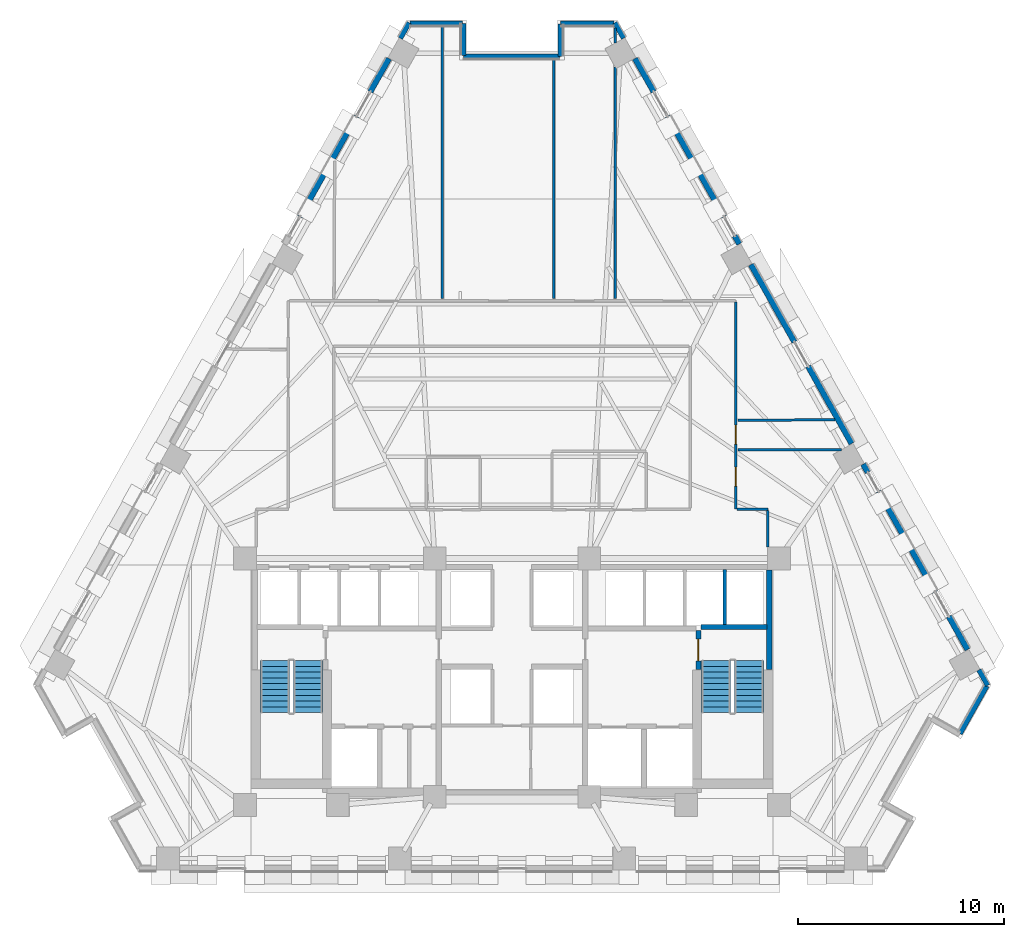
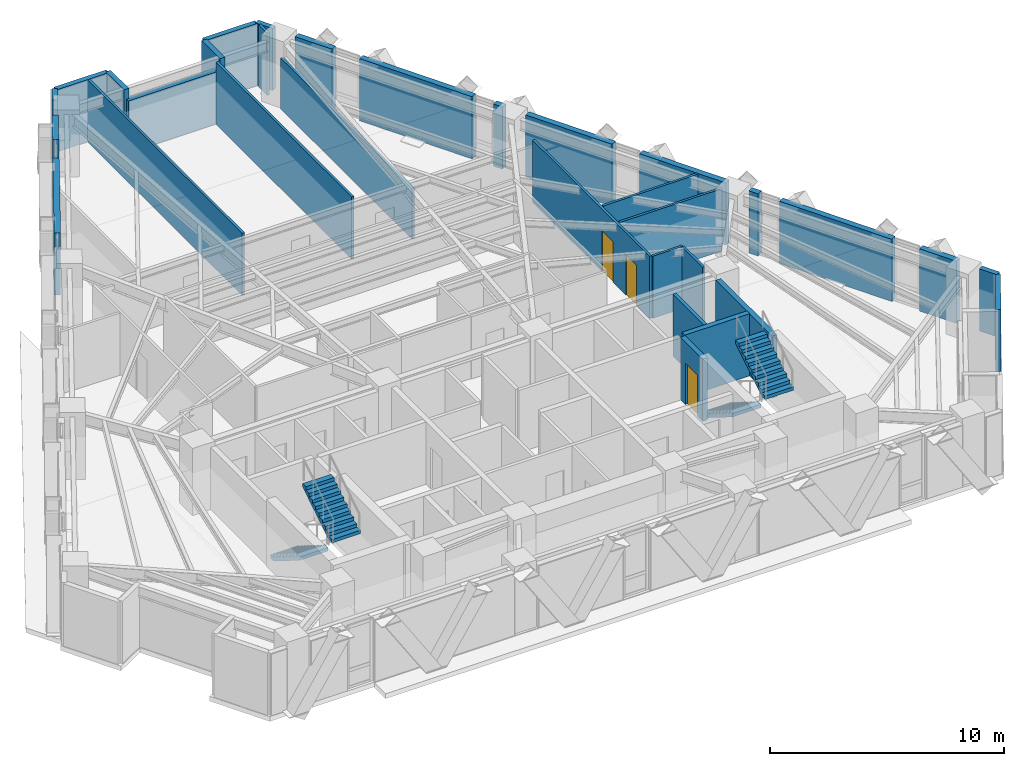
# One storey, part 9 of 13: 32 walls, 4 stair flights, 3 doors, 3 openings, 2 elements without a shape of their own.
"""IFC4 building model written with IfcOpenShell, lengths in metres."""

from ifc_helpers import new_model, si_unit, direction, frame, frame_2d, origin, place, context, subcontext, project, spatial, polyline, rectangle, outline, extrude, material, layer, layer_set, type_object, element, fill, aggregate, save


model = new_model("IFC4")

# Units and contexts
model_context = context("Model", 3, precision=1e-05, world=origin(), true_north=direction((0.0, 1.0)))
body_context = subcontext(model_context, "Body", "Model", "MODEL_VIEW")
ifc_project = project(units=[si_unit("LENGTHUNIT", "METRE"), si_unit("AREAUNIT", "SQUARE_METRE"), si_unit("VOLUMEUNIT", "CUBIC_METRE"), si_unit("PLANEANGLEUNIT", "RADIAN"), si_unit("MASSUNIT", "GRAM", prefix="KILO")], contexts=[model_context])

# Site, building, storey
site_placement = place(None, origin())
site = spatial("IfcSite", under=ifc_project, at=site_placement, CompositionType="ELEMENT")
building_placement = place(site_placement, origin())
building = spatial("IfcBuilding", under=site, at=building_placement, Name="Quenlor Broadcast Tower", CompositionType="ELEMENT")
storey_placement = place(building_placement, frame((0.0, 0.0, 76.60009765625)))
storey = spatial("IfcBuildingStorey", under=building, at=storey_placement, Name="L20", CompositionType="ELEMENT", Elevation=76.60009765625)

# Wall, opening, door
ifc_material_1 = material(Name="Concrete C40/50", Category="concrete")
ifc_layer_1 = layer(ifc_material_1, 0.25)
ifc_layer_set_1 = layer_set([ifc_layer_1], Name="Fire Rated Concrete C40/50 Core Wall 250")
wall_type_1 = type_object("IfcWallType", Name="Fire Rated Concrete C40/50 Core Wall 250", PredefinedType="PARTITIONING", material=ifc_layer_set_1)
wall_1_placement = place(storey_placement, frame((9.0400390625, -10.179931640625, 0.0), z_axis=(0.0, 0.0, 1.0), x_axis=(0.0, 1.0, 0.0)))
wall_1 = element("IfcWall", 1, at=wall_1_placement, inside=storey, type_object=wall_type_1, Name="L20 Interior Wall CW-ST2-DR", PredefinedType="PARTITIONING", context=body_context, shape_type="SweptSolid", body=[
    extrude(rectangle(XDim=1.89990234375, YDim=0.25, at=frame_2d((0.949951171875, 0.0))), origin(), (0.0, 0.0, 1.0), 3.25),
])
opening_1_placement = place(wall_1_placement, frame((0.419921875, 0.0, 0.0)))
opening_1 = element("IfcOpeningElement", 2, at=opening_1_placement, cuts=wall_1, Name="Opening FD-1", PredefinedType="OPENING", context=body_context, shape_type="SweptSolid", body=[
    extrude(rectangle(XDim=1.050048828125, YDim=2.14990234375, at=frame_2d((0.52490234375, 1.074951171875))), frame((0.0, 0.135009765625, 0.0), z_axis=(0.0, -1.0, 0.0), x_axis=(1.0, 0.0, 0.0)), (0.0, 0.0, 1.0), 0.27001953125),
])
ifc_material_2 = material(Name="Fire Rated Steel Door Leaf", Category="steel")
door_type_1 = type_object("IfcDoorType", Name="Fire Isolated Stair Door 1050x2150", OperationType="NOTDEFINED", PredefinedType="DOOR", material=ifc_material_2)
door_1_placement = place(opening_1_placement, origin())
door_1 = element("IfcDoor", 3, at=door_1_placement, inside=storey, type_object=door_type_1, Name="L20 Door DR-ST2", OperationType="SINGLE_SWING_RIGHT", OverallHeight=2.14990234375, OverallWidth=1.050048828125, PredefinedType="DOOR", context=body_context, shape_type="SweptSolid", body=[
    extrude(rectangle(XDim=1.050048828125, YDim=2.14990234375, at=frame_2d((0.52490234375, 1.074951171875))), frame((0.0, 0.02490234375, 0.0), z_axis=(0.0, -1.0, 0.0), x_axis=(1.0, 0.0, 0.0)), (0.0, 0.0, 1.0), 0.050048828125),
])
fill(opening_1, door_1)

# Walls
wall_2_placement = place(storey_placement, frame((9.159912109375, -8.1201171875, 0.0), z_axis=(0.0, 0.0, 1.0), x_axis=(1.0, 0.0, 0.0)))
element("IfcWall", 4, at=wall_2_placement, inside=storey, type_object=wall_type_1, Name="L20 Interior Wall CW-ST2-N", PredefinedType="PARTITIONING", context=body_context, shape_type="SweptSolid", body=[
    extrude(rectangle(XDim=3.219970703125, YDim=0.25, at=frame_2d((1.60986328125, 0.0))), origin(), (0.0, 0.0, 1.0), 3.25),
])
wall_3_placement = place(storey_placement, frame((12.47998046875, -10.179931640625, 0.0), z_axis=(0.0, 0.0, 1.0), x_axis=(0.0, 1.0, 0.0)))
element("IfcWall", 5, at=wall_3_placement, inside=storey, type_object=wall_type_1, Name="L20 Interior Wall CW-ST2-E2", PredefinedType="PARTITIONING", context=body_context, shape_type="SweptSolid", body=[
    extrude(rectangle(XDim=4.827880859375, YDim=0.25, at=frame_2d((2.4140625, 0.0))), origin(), (0.0, 0.0, 1.0), 3.25),
])
ifc_material_3 = material(Name="Gypsum Fireboard Partition", Category="other")
ifc_layer_2 = layer(ifc_material_3, 0.159912109375)
ifc_layer_set_2 = layer_set([ifc_layer_2], Name="Fire Rated Shaft and Corridor Partition 160")
wall_type_2 = type_object("IfcWallType", Name="Fire Rated Shaft and Corridor Partition 160", PredefinedType="PARTITIONING", material=ifc_layer_set_2)
wall_4_placement = place(storey_placement, frame((10.324951171875, -7.992919921875, 0.0), z_axis=(0.0, 0.0, 1.0), x_axis=(0.0, 1.0, 0.0)))
element("IfcWall", 6, at=wall_4_placement, inside=storey, type_object=wall_type_2, Name="L20 Interior Wall CW-PLH-D3", PredefinedType="PARTITIONING", context=body_context, shape_type="SweptSolid", body=[
    extrude(rectangle(XDim=2.65283203125, YDim=0.159912109375, at=frame_2d((1.326416015625, 0.0))), origin(), (0.0, 0.0, 1.0), 3.25),
])

# Wall, openings, doors
ifc_material_4 = material(Name="Gypsum Plasterboard Partition", Category="other")
ifc_layer_3 = layer(ifc_material_4, 0.1201171875)
ifc_layer_set_3 = layer_set([ifc_layer_3], Name="Standard Office Partition 120")
wall_type_3 = type_object("IfcWallType", Name="Standard Office Partition 120", PredefinedType="PARTITIONING", material=ifc_layer_set_3)
wall_5_placement = place(storey_placement, frame((10.85009765625, 7.637939453125, 0.0), z_axis=(0.0, 0.0, 1.0), x_axis=(0.0, -1.0, 0.0)))
wall_5 = element("IfcWall", 7, at=wall_5_placement, inside=storey, type_object=wall_type_3, Name="L20 Interior Wall PW-CR-04", PredefinedType="PARTITIONING", context=body_context, shape_type="SweptSolid", body=[
    extrude(rectangle(XDim=10.037841796875, YDim=0.1201171875, at=frame_2d((5.01904296875, 0.0))), origin(), (0.0, 0.0, 1.0), 3.25),
])
opening_2_placement = place(wall_5_placement, frame((5.965087890625, 0.0, 0.0)))
opening_2 = element("IfcOpeningElement", 8, at=opening_2_placement, cuts=wall_5, Name="Opening ID-1", PredefinedType="OPENING", context=body_context, shape_type="SweptSolid", body=[
    extrude(rectangle(XDim=0.919921875, YDim=2.1201171875, at=frame_2d((0.4599609375, 1.06005859375))), frame((0.0, 0.070068359375, 0.0), z_axis=(0.0, -1.0, 0.0), x_axis=(1.0, 0.0, 0.0)), (0.0, 0.0, 1.0), 0.14013671875),
])
opening_3_placement = place(wall_5_placement, frame((8.006103515625, 0.0, 0.0)))
opening_3 = element("IfcOpeningElement", 9, at=opening_3_placement, cuts=wall_5, Name="Opening ID-1", PredefinedType="OPENING", context=body_context, shape_type="SweptSolid", body=[
    extrude(rectangle(XDim=0.919921875, YDim=2.1201171875, at=frame_2d((0.4599609375, 1.06005859375))), frame((0.0, 0.070068359375, 0.0), z_axis=(0.0, -1.0, 0.0), x_axis=(1.0, 0.0, 0.0)), (0.0, 0.0, 1.0), 0.14013671875),
])
ifc_material_5 = material(Name="Solid Core Timber Oak", Category="wood")
door_type_2 = type_object("IfcDoorType", Name="Single Leaf Timber Office Door 920x2120", OperationType="NOTDEFINED", PredefinedType="DOOR", material=ifc_material_5)
door_2_placement = place(opening_2_placement, origin())
door_2 = element("IfcDoor", 10, at=door_2_placement, inside=storey, type_object=door_type_2, Name="L20 Door DR-RM07", OperationType="SINGLE_SWING_RIGHT", OverallHeight=2.1201171875, OverallWidth=0.919921875, PredefinedType="DOOR", context=body_context, shape_type="SweptSolid", body=[
    extrude(rectangle(XDim=0.919921875, YDim=2.1201171875, at=frame_2d((0.4599609375, 1.06005859375))), frame((0.0, 0.02490234375, 0.0), z_axis=(0.0, -1.0, 0.0), x_axis=(1.0, 0.0, 0.0)), (0.0, 0.0, 1.0), 0.050048828125),
])
fill(opening_2, door_2)
door_3_placement = place(opening_3_placement, origin())
door_3 = element("IfcDoor", 11, at=door_3_placement, inside=storey, type_object=door_type_2, Name="L20 Door DR-RM08", OperationType="SINGLE_SWING_LEFT", OverallHeight=2.1201171875, OverallWidth=0.919921875, PredefinedType="DOOR", context=body_context, shape_type="SweptSolid", body=[
    extrude(rectangle(XDim=0.919921875, YDim=2.1201171875, at=frame_2d((0.4599609375, 1.06005859375))), frame((0.0, 0.02490234375, 0.0), z_axis=(0.0, -1.0, 0.0), x_axis=(1.0, 0.0, 0.0)), (0.0, 0.0, 1.0), 0.050048828125),
])
fill(opening_3, door_3)

# Walls
wall_6_placement = place(storey_placement, frame((10.912109375, -2.39990234375, 0.0), z_axis=(0.0, 0.0, 1.0), x_axis=(1.0, 0.0, 0.0)))
element("IfcWall", 12, at=wall_6_placement, inside=storey, type_object=wall_type_3, Name="L20 Interior Wall PW-CR-05", PredefinedType="PARTITIONING", context=body_context, shape_type="SweptSolid", body=[
    extrude(rectangle(XDim=1.497802734375, YDim=0.1201171875, at=frame_2d((0.7490234375, 0.0))), origin(), (0.0, 0.0, 1.0), 3.25),
])
wall_7_placement = place(storey_placement, frame((12.409912109375, -2.4619140625, 0.0), z_axis=(0.0, 0.0, 1.0), x_axis=(0.0, -1.0, 0.0)))
element("IfcWall", 13, at=wall_7_placement, inside=storey, type_object=wall_type_3, Name="L20 Interior Wall PW-CR-06", PredefinedType="PARTITIONING", context=body_context, shape_type="SweptSolid", body=[
    extrude(rectangle(XDim=1.7861328125, YDim=0.1201171875, at=frame_2d((0.89306640625, 0.0))), origin(), (0.0, 0.0, 1.0), 3.25),
])
wall_8_placement = place(storey_placement, frame((2.023681640625, 7.81005859375, 0.0), z_axis=(0.0, 0.0, 1.0), x_axis=(0.0, 1.0, 0.0)))
element("IfcWall", 14, at=wall_8_placement, inside=storey, type_object=wall_type_3, Name="L20 Interior Wall PW-DV-01", PredefinedType="PARTITIONING", context=body_context, shape_type="SweptSolid", body=[
    extrude(rectangle(XDim=11.635986328125, YDim=0.1201171875, at=frame_2d((5.81787109375, 0.0))), origin(), (0.0, 0.0, 1.0), 3.25),
])
wall_9_placement = place(storey_placement, frame((5.0, 20.935791015625, 0.0), z_axis=(0.0, 0.0, 1.0), x_axis=(0.0, -1.0, 0.0)))
element("IfcWall", 15, at=wall_9_placement, inside=storey, type_object=wall_type_3, Name="L20 Interior Wall PW-DV-02", PredefinedType="PARTITIONING", context=body_context, shape_type="SweptSolid", body=[
    extrude(rectangle(XDim=0.73095703125, YDim=0.1201171875, at=frame_2d((0.365478515625, 0.0))), origin(), (0.0, 0.0, 1.0), 3.25),
])
wall_10_placement = place(storey_placement, frame((5.0, 19.0595703125, 0.0), z_axis=(0.0, 0.0, 1.0), x_axis=(0.0, -1.0, 0.0)))
element("IfcWall", 16, at=wall_10_placement, inside=storey, type_object=wall_type_3, Name="L20 Interior Wall PW-DV-02S2", PredefinedType="PARTITIONING", context=body_context, shape_type="SweptSolid", body=[
    extrude(rectangle(XDim=11.24951171875, YDim=0.1201171875, at=frame_2d((5.624755859375, 0.0))), origin(), (0.0, 0.0, 1.0), 2.64794921875),
])
wall_11_placement = place(storey_placement, frame((-3.389892578125, 7.81005859375, 0.0), z_axis=(0.0, 0.0, 1.0), x_axis=(0.0, 1.0, 0.0)))
element("IfcWall", 17, at=wall_11_placement, inside=storey, type_object=wall_type_3, Name="L20 Interior Wall PW-DV-03", PredefinedType="PARTITIONING", context=body_context, shape_type="SweptSolid", body=[
    extrude(rectangle(XDim=13.23583984375, YDim=0.1201171875, at=frame_2d((6.617919921875, 0.0))), origin(), (0.0, 0.0, 1.0), 3.25),
])
wall_12_placement = place(storey_placement, frame((15.66259765625, 1.939697265625, 0.0), z_axis=(0.0, 0.0, 1.0), x_axis=(-0.999966784185, -0.008150492426, 0.0)))
element("IfcWall", 18, at=wall_12_placement, inside=storey, type_object=wall_type_3, Name="L20 Interior Wall PW-DV-05", PredefinedType="PARTITIONING", context=body_context, shape_type="SweptSolid", body=[
    extrude(rectangle(XDim=4.702880859375, YDim=0.1201171875, at=frame_2d((2.3515625, 0.0))), origin(), (0.0, 0.0, 1.0), 3.25),
])
wall_13_placement = place(storey_placement, frame((15.99267578125, 0.486328125, 0.0), z_axis=(0.0, 0.0, 1.0), x_axis=(-1.0, 0.0, 0.0)))
element("IfcWall", 19, at=wall_13_placement, inside=storey, type_object=wall_type_3, Name="L20 Interior Wall PW-DV-07", PredefinedType="PARTITIONING", context=body_context, shape_type="SweptSolid", body=[
    extrude(rectangle(XDim=5.03271484375, YDim=0.1201171875, at=frame_2d((2.516357421875, 0.0))), origin(), (0.0, 0.0, 1.0), 3.25),
])
ifc_material_6 = material(Name="Precast concrete C40/50", Category="concrete")
ifc_layer_4 = layer(ifc_material_6, 0.239990234375)
ifc_layer_set_4 = layer_set([ifc_layer_4], Name="Terrace Threshold Precast Concrete C40/50 Wall 240")
wall_type_4 = type_object("IfcWallType", Name="Terrace Threshold Precast Concrete C40/50 Wall 240", PredefinedType="STANDARD", material=ifc_layer_set_4)
for number, where, z_axis, x_axis, name in (
    (20, (4.992919921875, 21.197265625, 0.0), (0.0, 0.0, 1.0), (0.490355003566, -0.871522788272, 0.0), "L20 Exterior Wall L20-SHD-NES0"),
    (21, (22.65380859375, -10.199951171875, 0.0), (0.0, 0.0, 1.0), (0.490355003566, -0.871522788272, 0.0), "L20 Exterior Wall L20-SHD-NES1"),
    (22, (-5.417236328125, 20.443115234375, 0.0), (0.0, 0.0, 1.0), (0.490355003566, 0.871522788272, 0.0), "L20 Exterior Wall L20-SHD-NWS1"),
):
    element("IfcWall", number, at=place(storey_placement, frame(where, z_axis=z_axis, x_axis=x_axis)), inside=storey, type_object=wall_type_4, Name=name, PredefinedType="STANDARD", context=body_context, shape_type="SweptSolid", body=[
        extrude(rectangle(XDim=0.865234375, YDim=0.239990234375, at=frame_2d((0.4326171875, 0.0))), origin(), (0.0, 0.0, 1.0), 3.25),
    ])
wall_14_placement = place(storey_placement, frame((21.732666015625, -13.293701171875, 0.0), z_axis=(0.0, 0.0, 1.0), x_axis=(0.490265590412, 0.871573089797, 0.0)))
element("IfcWall", 23, at=wall_14_placement, inside=storey, type_object=wall_type_4, Name="L20 Exterior Wall L20-CNR-04", PredefinedType="STANDARD", context=body_context, shape_type="SweptSolid", body=[
    extrude(rectangle(XDim=2.6640625, YDim=0.239990234375, at=frame_2d((1.33203125, 0.0))), origin(), (0.0, 0.0, 1.0), 3.25),
])
wall_15_placement = place(storey_placement, frame((4.95947265625, 21.16796875, 0.0), z_axis=(0.0, 0.0, 1.0), x_axis=(-1.0, 0.0, 0.0)))
element("IfcWall", 24, at=wall_15_placement, inside=storey, type_object=wall_type_4, Name="L20 Exterior Wall L20-CNR-06", PredefinedType="STANDARD", context=body_context, shape_type="SweptSolid", body=[
    extrude(rectangle(XDim=2.599365234375, YDim=0.239990234375, at=frame_2d((1.2998046875, 0.0))), origin(), (0.0, 0.0, 1.0), 3.25),
])
wall_16_placement = place(storey_placement, frame((2.360107421875, 21.1279296875, 0.0), z_axis=(0.0, 0.0, 1.0), x_axis=(0.0, -1.0, 0.0)))
element("IfcWall", 25, at=wall_16_placement, inside=storey, type_object=wall_type_4, Name="L20 Exterior Wall L20-CNR-07", PredefinedType="STANDARD", context=body_context, shape_type="SweptSolid", body=[
    extrude(rectangle(XDim=1.559814453125, YDim=0.239990234375, at=frame_2d((0.77978515625, 0.0))), origin(), (0.0, 0.0, 1.0), 3.25),
])
wall_17_placement = place(storey_placement, frame((2.320068359375, 19.568115234375, 0.0), z_axis=(0.0, 0.0, 1.0), x_axis=(-1.0, 0.0, 0.0)))
element("IfcWall", 26, at=wall_17_placement, inside=storey, type_object=wall_type_4, Name="L20 Exterior Wall L20-CNR-08", PredefinedType="STANDARD", context=body_context, shape_type="SweptSolid", body=[
    extrude(rectangle(XDim=4.68017578125, YDim=0.239990234375, at=frame_2d((2.340087890625, 0.0))), origin(), (0.0, 0.0, 1.0), 2.7216796875),
])
wall_18_placement = place(storey_placement, frame((-2.360107421875, 19.60791015625, 0.0), z_axis=(0.0, 0.0, 1.0), x_axis=(0.0, 1.0, 0.0)))
element("IfcWall", 27, at=wall_18_placement, inside=storey, type_object=wall_type_4, Name="L20 Exterior Wall L20-CNR-09", PredefinedType="STANDARD", context=body_context, shape_type="SweptSolid", body=[
    extrude(rectangle(XDim=1.56005859375, YDim=0.239990234375, at=frame_2d((0.780029296875, 0.0))), origin(), (0.0, 0.0, 1.0), 3.25),
])
wall_19_placement = place(storey_placement, frame((-2.39990234375, 21.16796875, 0.0), z_axis=(0.0, 0.0, 1.0), x_axis=(-1.0, 0.0, 0.0)))
element("IfcWall", 28, at=wall_19_placement, inside=storey, type_object=wall_type_4, Name="L20 Exterior Wall L20-CNR-10", PredefinedType="STANDARD", context=body_context, shape_type="SweptSolid", body=[
    extrude(rectangle(XDim=2.5595703125, YDim=0.239990234375, at=frame_2d((1.27978515625, 0.0))), origin(), (0.0, 0.0, 1.0), 3.25),
])
ifc_material_7 = material(Name="Precast concrete C40/50", Category="concrete")
ifc_layer_5 = layer(ifc_material_7, 0.280029296875)
ifc_layer_set_5 = layer_set([ifc_layer_5], Name="Terracotta Precast Concrete C40/50 Facade Wall 280")
wall_type_5 = type_object("IfcWallType", Name="Terracotta Precast Concrete C40/50 Facade Wall 280", PredefinedType="STANDARD", material=ifc_layer_set_5)
wall_20_placement = place(storey_placement, frame((5.97119140625, 19.458251953125, 0.0), z_axis=(0.0, 0.0, 1.0), x_axis=(0.490280102884, -0.871564926277, 0.0)))
element("IfcWall", 29, at=wall_20_placement, inside=storey, type_object=wall_type_5, Name="L20 Exterior Wall L20-NEA-SP1", PredefinedType="STANDARD", context=body_context, shape_type="SweptSolid", body=[
    extrude(rectangle(XDim=1.843505859375, YDim=0.280029296875, at=frame_2d((0.921875, 0.0))), origin(), (0.0, 0.0, 1.0), 3.25),
])
wall_21_placement = place(storey_placement, frame((7.543701171875, 16.662353515625, 0.0), z_axis=(0.0, 0.0, 1.0), x_axis=(0.490298514233, -0.871554569113, 0.0)))
element("IfcWall", 30, at=wall_21_placement, inside=storey, type_object=wall_type_5, Name="L20 Exterior Wall L20-NEA-SP2", PredefinedType="STANDARD", context=body_context, shape_type="SweptSolid", body=[
    extrude(rectangle(XDim=5.597412109375, YDim=0.280029296875, at=frame_2d((2.798828125, 0.0))), origin(), (0.0, 0.0, 1.0), 3.25),
])
for number, where, z_axis, x_axis, name in (
    (31, (10.806396484375, 10.862060546875, 0.0), (0.0, 0.0, 1.0), (0.490412424957, -0.871490478116, 0.0), "L20 Exterior Wall L20-NEA-SP3"),
    (32, (17.0390625, -0.218017578125, 0.0), (0.0, 0.0, 1.0), (0.490009165718, -0.871717280724, 0.0), "L20 Exterior Wall L20-NEC-SP1"),
):
    element("IfcWall", number, at=place(storey_placement, frame(where, z_axis=z_axis, x_axis=x_axis)), inside=storey, type_object=wall_type_5, Name=name, PredefinedType="STANDARD", context=body_context, shape_type="SweptSolid", body=[
        extrude(rectangle(XDim=0.4599609375, YDim=0.280029296875, at=frame_2d((0.22998046875, 0.0))), origin(), (0.0, 0.0, 1.0), 3.25),
    ])
wall_22_placement = place(storey_placement, frame((17.782958984375, -1.540771484375, 0.0), z_axis=(0.0, 0.0, 1.0), x_axis=(0.490265381388, -0.871573207374, 0.0)))
element("IfcWall", 33, at=wall_22_placement, inside=storey, type_object=wall_type_5, Name="L20 Exterior Wall L20-NEC-SP2", PredefinedType="STANDARD", context=body_context, shape_type="SweptSolid", body=[
    extrude(rectangle(XDim=5.59716796875, YDim=0.280029296875, at=frame_2d((2.798583984375, 0.0))), origin(), (0.0, 0.0, 1.0), 3.25),
])
wall_23_placement = place(storey_placement, frame((21.196044921875, -7.6083984375, 0.0), z_axis=(0.0, 0.0, 1.0), x_axis=(0.490280102884, -0.871564926277, 0.0)))
element("IfcWall", 34, at=wall_23_placement, inside=storey, type_object=wall_type_5, Name="L20 Exterior Wall L20-NEC-SP3", PredefinedType="STANDARD", context=body_context, shape_type="SweptSolid", body=[
    extrude(rectangle(XDim=1.843505859375, YDim=0.280029296875, at=frame_2d((0.921875, 0.0))), origin(), (0.0, 0.0, 1.0), 3.25),
])
for number, where, z_axis, x_axis, name in (
    (35, (11.59326171875, 9.463134765625, 0.0), (0.0, 0.0, 1.0), (0.490293592365, -0.871557337922, 0.0), "L20 Exterior Wall L20-NE-SP1"),
    (36, (14.369873046875, 4.527099609375, 0.0), (0.0, 0.0, 1.0), (0.490293592365, -0.871557337922, 0.0), "L20 Exterior Wall L20-NE-SP2"),
):
    element("IfcWall", number, at=place(storey_placement, frame(where, z_axis=z_axis, x_axis=x_axis)), inside=storey, type_object=wall_type_5, Name=name, PredefinedType="STANDARD", context=body_context, shape_type="SweptSolid", body=[
        extrude(rectangle(XDim=4.29931640625, YDim=0.280029296875, at=frame_2d((2.149658203125, 0.0))), origin(), (0.0, 0.0, 1.0), 3.25),
    ])
wall_24_placement = place(storey_placement, frame((-10.2880859375, 11.783935546875, 0.0), z_axis=(0.0, 0.0, 1.0), x_axis=(0.490298514233, 0.871554569113, 0.0)))
element("IfcWall", 37, at=wall_24_placement, inside=storey, type_object=wall_type_5, Name="L20 Exterior Wall L20-NWC-SP2", PredefinedType="STANDARD", context=body_context, shape_type="SweptSolid", body=[
    extrude(rectangle(XDim=5.597412109375, YDim=0.280029296875, at=frame_2d((2.798828125, 0.0))), origin(), (0.0, 0.0, 1.0), 3.25),
])
wall_25_placement = place(storey_placement, frame((-6.875, 17.8515625, 0.0), z_axis=(0.0, 0.0, 1.0), x_axis=(0.490280102884, 0.871564926277, 0.0)))
element("IfcWall", 38, at=wall_25_placement, inside=storey, type_object=wall_type_5, Name="L20 Exterior Wall L20-NWC-SP3", PredefinedType="STANDARD", context=body_context, shape_type="SweptSolid", body=[
    extrude(rectangle(XDim=1.843505859375, YDim=0.280029296875, at=frame_2d((0.921875, 0.0))), origin(), (0.0, 0.0, 1.0), 3.25),
])

# Stair, stair flights
ifc_material_8 = material(Name="Precast concrete C40/50", Category="concrete")
stair_type = type_object("IfcStairType", Name="Precast Concrete C40/50 Dogleg Stair H350", PredefinedType="HALF_TURN_STAIR", material=ifc_material_8)
stair_1_placement = place(storey_placement, origin())
stair_1 = element("IfcStair", 39, at=stair_1_placement, inside=storey, type_object=stair_type, Name="L20 West Core Fire-Isolated Exit Stair ST-1", PredefinedType="HALF_TURN_STAIR")
ifc_material_9 = material(Name="Precast concrete C40/50", Category="concrete")
ifc_layer_6 = layer(ifc_material_9, 0.159912109375)
ifc_layer_set_6 = layer_set([ifc_layer_6], Name="Precast Concrete C40/50 Stair Flight H350")
stair_flight_type = type_object("IfcStairFlightType", Name="Precast Concrete C40/50 Stair Flight H350", PredefinedType="STRAIGHT", material=ifc_layer_set_6)
stair_flight_1_placement = place(storey_placement, frame((-11.5, -9.75, 0.0), z_axis=(0.0, 0.0, 1.0), x_axis=(0.0, -1.0, 0.0)))
stair_flight_1 = element("IfcStairFlight", 40, at=stair_flight_1_placement, type_object=stair_flight_type, Name="ST-1 flight 1", NumberOfRisers=10, NumberOfTreads=9, PredefinedType="STRAIGHT", RiserHeight=0.175, TreadLength=0.28, context=body_context, shape_type="SweptSolid", body=[
    extrude(outline(polyline([(0.0, 0.0), (0.0, 0.175048828125), (0.280029296875, 0.175048828125), (0.280029296875, 0.35009765625), (0.56005859375, 0.35009765625), (0.56005859375, 0.52490234375), (0.840087890625, 0.52490234375), (0.840087890625, 0.699951171875), (1.1201171875, 0.699951171875), (1.1201171875, 0.875), (1.39990234375, 0.875), (1.39990234375, 1.050048828125), (1.679931640625, 1.050048828125), (1.679931640625, 1.22509765625), (1.9599609375, 1.22509765625), (1.9599609375, 1.39990234375), (2.239990234375, 1.39990234375), (2.239990234375, 1.574951171875), (2.52001953125, 1.574951171875), (2.52001953125, 1.75), (2.52001953125, 1.398193359375), (0.28271484375, 0.0), (0.0, 0.0)])), frame((0.0, 0.699951171875, 0.0), z_axis=(0.0, -1.0, 0.0), x_axis=(1.0, 0.0, 0.0)), (0.0, 0.0, 1.0), 1.39990234375),
])
stair_flight_2_placement = place(storey_placement, frame((-9.89990234375, -12.27001953125, 1.75), z_axis=(0.0, 0.0, 1.0), x_axis=(0.0, 1.0, 0.0)))
stair_flight_2 = element("IfcStairFlight", 41, at=stair_flight_2_placement, type_object=stair_flight_type, Name="ST-1 flight 2", NumberOfRisers=10, NumberOfTreads=9, PredefinedType="STRAIGHT", RiserHeight=0.175, TreadLength=0.28, context=body_context, shape_type="SweptSolid", body=[
    extrude(outline(polyline([(0.0, 0.0), (0.0, 0.175048828125), (0.280029296875, 0.175048828125), (0.280029296875, 0.35009765625), (0.56005859375, 0.35009765625), (0.56005859375, 0.52490234375), (0.840087890625, 0.52490234375), (0.840087890625, 0.699951171875), (1.1201171875, 0.699951171875), (1.1201171875, 0.875), (1.39990234375, 0.875), (1.39990234375, 1.050048828125), (1.679931640625, 1.050048828125), (1.679931640625, 1.22509765625), (1.9599609375, 1.22509765625), (1.9599609375, 1.39990234375), (2.239990234375, 1.39990234375), (2.239990234375, 1.574951171875), (2.52001953125, 1.574951171875), (2.52001953125, 1.75), (2.52001953125, 1.398193359375), (0.28271484375, 0.0), (0.0, 0.0)])), frame((0.0, 0.699951171875, 0.0), z_axis=(0.0, -1.0, 0.0), x_axis=(1.0, 0.0, 0.0)), (0.0, 0.0, 1.0), 1.39990234375),
])
aggregate(stair_1, [stair_flight_1, stair_flight_2])

stair_2_placement = place(storey_placement, origin())
stair_2 = element("IfcStair", 42, at=stair_2_placement, inside=storey, type_object=stair_type, Name="L20 East Core Fire-Isolated Exit Stair ST-2", PredefinedType="HALF_TURN_STAIR")
stair_flight_3_placement = place(storey_placement, frame((9.89990234375, -9.75, 0.0), z_axis=(0.0, 0.0, 1.0), x_axis=(0.0, -1.0, 0.0)))
stair_flight_3 = element("IfcStairFlight", 43, at=stair_flight_3_placement, type_object=stair_flight_type, Name="ST-2 flight 1", NumberOfRisers=10, NumberOfTreads=9, PredefinedType="STRAIGHT", RiserHeight=0.175, TreadLength=0.28, context=body_context, shape_type="SweptSolid", body=[
    extrude(outline(polyline([(0.0, 0.0), (0.0, 0.175048828125), (0.280029296875, 0.175048828125), (0.280029296875, 0.35009765625), (0.56005859375, 0.35009765625), (0.56005859375, 0.52490234375), (0.840087890625, 0.52490234375), (0.840087890625, 0.699951171875), (1.1201171875, 0.699951171875), (1.1201171875, 0.875), (1.39990234375, 0.875), (1.39990234375, 1.050048828125), (1.679931640625, 1.050048828125), (1.679931640625, 1.22509765625), (1.9599609375, 1.22509765625), (1.9599609375, 1.39990234375), (2.239990234375, 1.39990234375), (2.239990234375, 1.574951171875), (2.52001953125, 1.574951171875), (2.52001953125, 1.75), (2.52001953125, 1.398193359375), (0.28271484375, 0.0), (0.0, 0.0)])), frame((0.0, 0.699951171875, 0.0), z_axis=(0.0, -1.0, 0.0), x_axis=(1.0, 0.0, 0.0)), (0.0, 0.0, 1.0), 1.39990234375),
])
stair_flight_4_placement = place(storey_placement, frame((11.5, -12.27001953125, 1.75), z_axis=(0.0, 0.0, 1.0), x_axis=(0.0, 1.0, 0.0)))
stair_flight_4 = element("IfcStairFlight", 44, at=stair_flight_4_placement, type_object=stair_flight_type, Name="ST-2 flight 2", NumberOfRisers=10, NumberOfTreads=9, PredefinedType="STRAIGHT", RiserHeight=0.175, TreadLength=0.28, context=body_context, shape_type="SweptSolid", body=[
    extrude(outline(polyline([(0.0, 0.0), (0.0, 0.175048828125), (0.280029296875, 0.175048828125), (0.280029296875, 0.35009765625), (0.56005859375, 0.35009765625), (0.56005859375, 0.52490234375), (0.840087890625, 0.52490234375), (0.840087890625, 0.699951171875), (1.1201171875, 0.699951171875), (1.1201171875, 0.875), (1.39990234375, 0.875), (1.39990234375, 1.050048828125), (1.679931640625, 1.050048828125), (1.679931640625, 1.22509765625), (1.9599609375, 1.22509765625), (1.9599609375, 1.39990234375), (2.239990234375, 1.39990234375), (2.239990234375, 1.574951171875), (2.52001953125, 1.574951171875), (2.52001953125, 1.75), (2.52001953125, 1.398193359375), (0.28271484375, 0.0), (0.0, 0.0)])), frame((0.0, 0.699951171875, 0.0), z_axis=(0.0, -1.0, 0.0), x_axis=(1.0, 0.0, 0.0)), (0.0, 0.0, 1.0), 1.39990234375),
])
aggregate(stair_2, [stair_flight_3, stair_flight_4])

save(model, "model.ifc")
